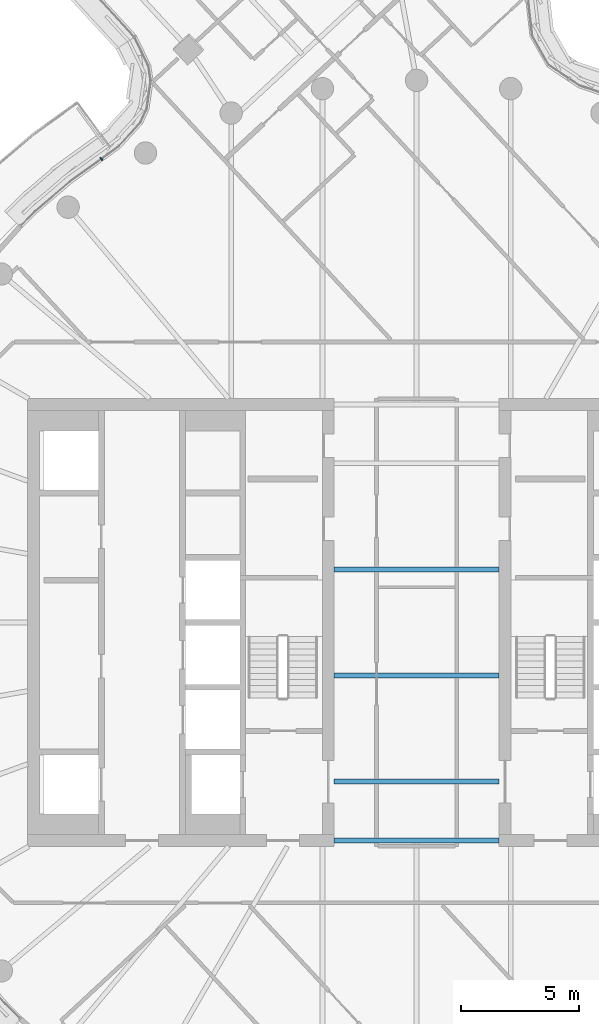
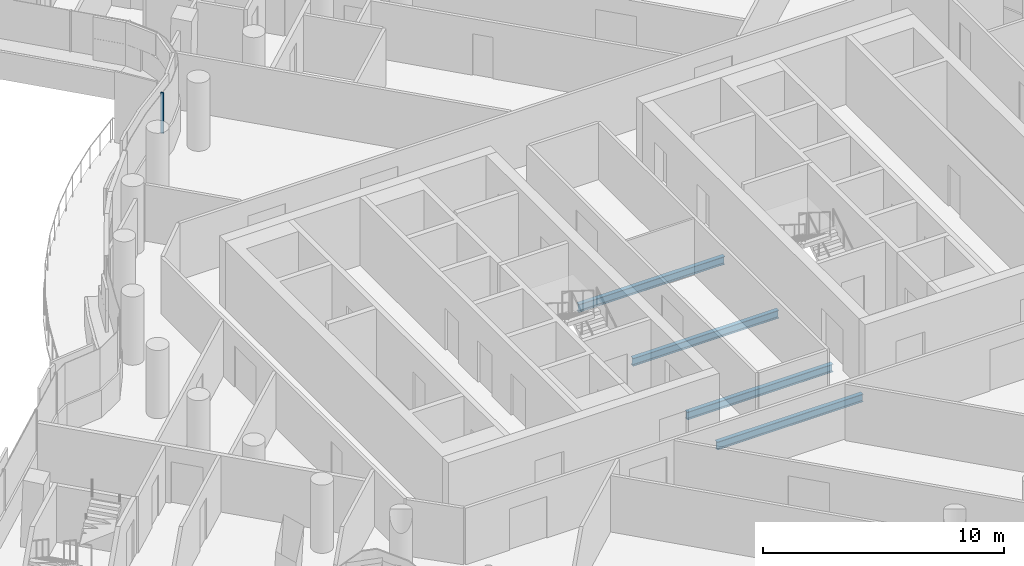
# One storey, part 11 of 34: 4 beams, 1 member, 1 element without a shape of its own.
"""IFC4 building model written with IfcOpenShell, lengths in metres."""

from ifc_helpers import new_model, si_unit, direction, frame, origin, origin_2d, place, context, subcontext, project, spatial, rectangle, i_section, extrude, material, layer, layer_set, material_profile, profile_set, type_object, element, aggregate, save


model = new_model("IFC4")

# Units and contexts
model_context = context("Model", 3, precision=1e-05, world=origin(), true_north=direction((0.0, 1.0)))
body_context = subcontext(model_context, "Body", "Model", "MODEL_VIEW")
ifc_project = project(units=[si_unit("LENGTHUNIT", "METRE"), si_unit("AREAUNIT", "SQUARE_METRE"), si_unit("VOLUMEUNIT", "CUBIC_METRE"), si_unit("PLANEANGLEUNIT", "RADIAN"), si_unit("MASSUNIT", "GRAM", prefix="KILO")], contexts=[model_context])

# Site, building, storey
site_placement = place(None, origin())
site = spatial("IfcSite", under=ifc_project, at=site_placement, CompositionType="ELEMENT")
building_placement = place(site_placement, origin())
building = spatial("IfcBuilding", under=site, at=building_placement, Name="Tamarind Cross Interchange Tower", CompositionType="ELEMENT")
storey_placement = place(building_placement, frame((0.0, 0.0, 189.699951171875)))
storey = spatial("IfcBuildingStorey", under=building, at=storey_placement, Name="L47", CompositionType="ELEMENT", Elevation=189.699951171875)

# Beams
ifc_material_1 = material(Name="Steel Q355B", Category="steel")
ifc_material_profile_1 = material_profile(ifc_material_1, i_section(OverallWidth=0.199951171875, OverallDepth=0.39990234375, WebThickness=0.008056640625, FlangeThickness=0.012939453125, FilletRadius=0.01611328125, at=origin_2d()), Name="HN 400x200x8x13")
ifc_profile_set_1 = profile_set([ifc_material_profile_1], Name="Steel Q355B")
beam_type = type_object("IfcBeamType", Name="Composite beam HN 400x200x8x13 Q355B", PredefinedType="BEAM", material=ifc_profile_set_1)
for number, where, z_axis, x_axis, name in (
    (1, (-3.5, -2.25, -0.33984375), (1.0, 0.0, 0.0), (0.0, 1.0, 0.0), "Beam G-2.25"),
    (2, (-3.5, -6.75, -0.33984375), (1.0, 0.0, 0.0), (0.0, 1.0, 0.0), "Beam G-6.75"),
    (3, (-3.5, -9.25, -0.33984375), (1.0, 0.0, 0.0), (0.0, 1.0, 0.0), "Beam G-9.25"),
    (4, (-3.5, 2.25, -0.33984375), (1.0, 0.0, 0.0), (0.0, 1.0, 0.0), "Beam G2.25"),
):
    element("IfcBeam", number, at=place(storey_placement, frame(where, z_axis=z_axis, x_axis=x_axis)), inside=storey, type_object=beam_type, Name=name, PredefinedType="BEAM", context=body_context, shape_type="SweptSolid", body=[
        extrude(i_section(OverallWidth=0.199951171875, OverallDepth=0.39990234375, WebThickness=0.008056640625, FlangeThickness=0.012939453125, FilletRadius=0.01611328125, at=origin_2d()), origin(), (0.0, 0.0, 1.0), 7.0),
    ])

# Curtain wall, member
ifc_material_2 = material(Name="Aluminium 6063-T6", Category="aluminium")
ifc_layer = layer(ifc_material_2, 0.139892578125)
ifc_layer_set = layer_set([ifc_layer], Name="Aluminium 6063-T6")
curtain_wall_type = type_object("IfcCurtainWallType", Name="Hotel curtain wall, 4.5 m bays", PredefinedType="NOTDEFINED", material=ifc_layer_set)
curtain_wall_placement = place(storey_placement, origin())
curtain_wall = element("IfcCurtainWall", 5, at=curtain_wall_placement, inside=storey, type_object=curtain_wall_type, Name="CWS-L47-06", PredefinedType="NOTDEFINED")
ifc_material_profile_2 = material_profile(ifc_material_2, rectangle(XDim=0.06005859375, YDim=0.139892578125, at=origin_2d()), Name="Mullion CW2")
ifc_profile_set_2 = profile_set([ifc_material_profile_2], Name="Aluminium 6063-T6")
member_type = type_object("IfcMemberType", Name="Mullion CW2", PredefinedType="MULLION", material=ifc_profile_set_2)
member_placement = place(storey_placement, frame((-13.372802734375, 19.6689453125, 1.400146484375), z_axis=(0.0, 0.0, 1.0), x_axis=(-0.811340475102, -0.584573890505, 0.0)))
member = element("IfcMember", 6, at=member_placement, type_object=member_type, Name="CWM-L47-06-01", PredefinedType="MULLION", context=body_context, shape_type="SweptSolid", body=[
    extrude(rectangle(XDim=0.06005859375, YDim=0.139892578125, at=origin_2d()), origin(), (0.0, 0.0, 1.0), 2.059814453125),
])
aggregate(curtain_wall, [member])

save(model, "model.ifc")
